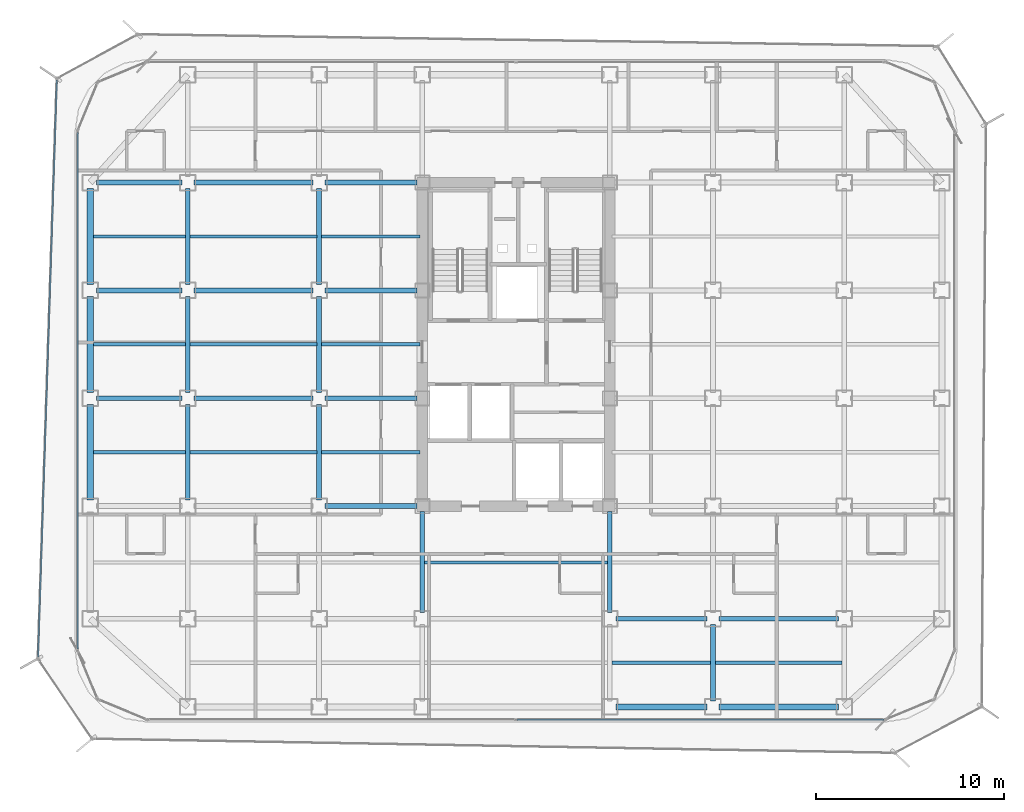
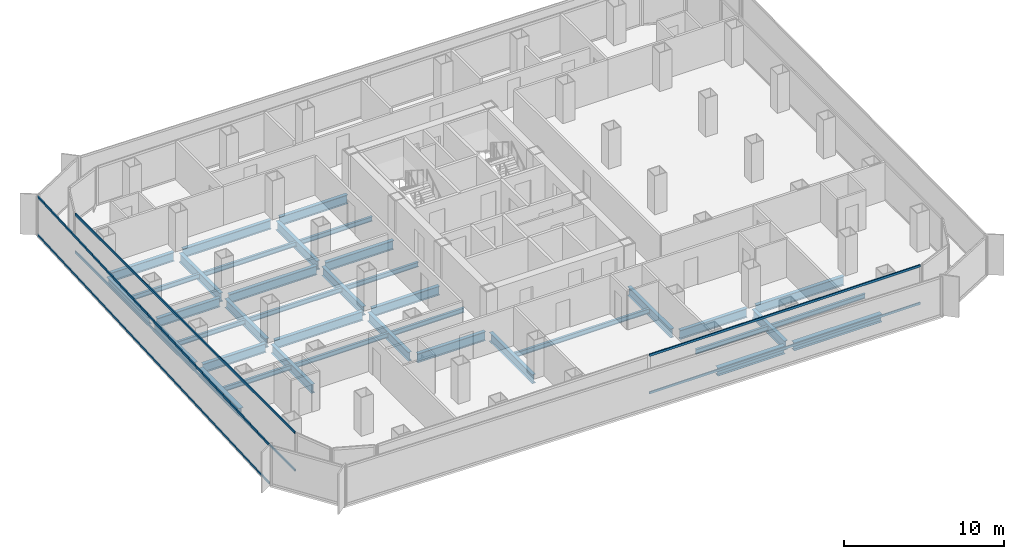
# One storey, part 5 of 21: 38 beams, 6 members, 3 elements without a shape of their own.
"""IFC4 building model written with IfcOpenShell, lengths in metres."""

from ifc_helpers import new_model, si_unit, direction, frame, origin, origin_2d, place, context, subcontext, project, spatial, hollow_rectangle, i_section, extrude, source, transform, mapped, material, layer, layer_set, material_profile, profile_set, type_object, element, aggregate, save


model = new_model("IFC4")

# Units and contexts
model_context = context("Model", 3, precision=1e-05, world=origin(), true_north=direction((0.0, 1.0)))
body_context = subcontext(model_context, "Body", "Model", "MODEL_VIEW")
ifc_project = project(units=[si_unit("LENGTHUNIT", "METRE"), si_unit("AREAUNIT", "SQUARE_METRE"), si_unit("VOLUMEUNIT", "CUBIC_METRE"), si_unit("PLANEANGLEUNIT", "RADIAN"), si_unit("MASSUNIT", "GRAM", prefix="KILO")], contexts=[model_context])

# Site, building, storey
site_placement = place(None, origin())
site = spatial("IfcSite", under=ifc_project, at=site_placement, CompositionType="ELEMENT")
building_placement = place(site_placement, origin())
building = spatial("IfcBuilding", under=site, at=building_placement, Name="Kolveth Station Tower", CompositionType="ELEMENT")
storey_placement = place(building_placement, frame((0.0, 0.0, 127.89990234375)))
storey = spatial("IfcBuildingStorey", under=building, at=storey_placement, Name="L35", CompositionType="ELEMENT", Elevation=127.89990234375)

# Beams
ifc_material_1 = material(Name="Steel S355", Category="steel")
ifc_material_profile_1 = material_profile(ifc_material_1, i_section(OverallWidth=0.323974609375, OverallDepth=0.611083984375, WebThickness=0.0126953125, FlangeThickness=0.01904296875, at=origin_2d()), Name="W610x155")
ifc_profile_set_1 = profile_set([ifc_material_profile_1], Name="Steel S355")
beam_type_1 = type_object("IfcBeamType", Name="Beam_SP2", PredefinedType="SPANDREL", material=ifc_profile_set_1)
shared_shape_1 = source(origin(), body_context, "Body", "SweptSolid", [
    extrude(i_section(OverallWidth=0.323974609375, OverallDepth=0.611083984375, WebThickness=0.0126953125, FlangeThickness=0.01904296875, at=origin_2d()), origin(), (0.0, 0.0, 1.0), 6.35986328125),
])
beam_1_placement = place(storey_placement, frame((34.320068359375, 0.800048828125, -0.555419921875), z_axis=(1.0, 0.0, 0.0), x_axis=(0.0, 1.0, 0.0)))
element("IfcBeam", 1, at=beam_1_placement, inside=storey, type_object=beam_type_1, Name="L35 Perimeter Spandrel BM-L35-PS-5", PredefinedType="SPANDREL", context=body_context, shape_type="MappedRepresentation", body=[
    mapped(shared_shape_1, transform((0.0, 0.0, 0.0), x_axis=(1.0, 0.0, 0.0), y_axis=(0.0, 1.0, 0.0), z_axis=(0.0, 0.0, 1.0), scale=1.0)),
])
shared_shape_2 = source(origin(), body_context, "Body", "SweptSolid", [
    extrude(i_section(OverallWidth=0.323974609375, OverallDepth=0.611083984375, WebThickness=0.0126953125, FlangeThickness=0.01904296875, at=origin_2d()), origin(), (0.0, 0.0, 1.0), 4.85986328125),
])
beam_2_placement = place(storey_placement, frame((28.820068359375, 0.800048828125, -0.555419921875), z_axis=(1.0, 0.0, 0.0), x_axis=(0.0, 1.0, 0.0)))
element("IfcBeam", 2, at=beam_2_placement, inside=storey, type_object=beam_type_1, Name="L35 Perimeter Spandrel BM-L35-PS-4", PredefinedType="SPANDREL", context=body_context, shape_type="MappedRepresentation", body=[
    mapped(shared_shape_2, transform((0.0, 0.0, 0.0), x_axis=(1.0, 0.0, 0.0), y_axis=(0.0, 1.0, 0.0), z_axis=(0.0, 0.0, 1.0), scale=1.0)),
])
shared_shape_3 = source(origin(), body_context, "Body", "SweptSolid", [
    extrude(i_section(OverallWidth=0.323974609375, OverallDepth=0.611083984375, WebThickness=0.0126953125, FlangeThickness=0.01904296875, at=origin_2d()), origin(), (0.0, 0.0, 1.0), 5.10986328125),
])
for number, where, z_axis, x_axis, name in (
    (3, (0.800048828125, 11.820068359375, -0.555419921875), (0.0, 1.0, 0.0), (-1.0, 0.0, 0.0), "L35 Perimeter Spandrel BM-L35-PW-2"),
    (4, (0.800048828125, 17.570068359375, -0.555419921875), (0.0, 1.0, 0.0), (-1.0, 0.0, 0.0), "L35 Perimeter Spandrel BM-L35-PW-3"),
    (5, (0.800048828125, 23.320068359375, -0.555419921875), (0.0, 1.0, 0.0), (-1.0, 0.0, 0.0), "L35 Perimeter Spandrel BM-L35-PW-4"),
):
    element("IfcBeam", number, at=place(storey_placement, frame(where, z_axis=z_axis, x_axis=x_axis)), inside=storey, type_object=beam_type_1, Name=name, PredefinedType="SPANDREL", context=body_context, shape_type="MappedRepresentation", body=[
        mapped(shared_shape_3, transform((0.0, 0.0, 0.0), x_axis=(1.0, 0.0, 0.0), y_axis=(0.0, 1.0, 0.0), z_axis=(0.0, 0.0, 1.0), scale=1.0)),
    ])
ifc_material_profile_2 = material_profile(ifc_material_1, i_section(OverallWidth=0.25390625, OverallDepth=0.68798828125, WebThickness=0.01318359375, FlangeThickness=0.02099609375, at=origin_2d()), Name="W690x152")
ifc_profile_set_2 = profile_set([ifc_material_profile_2], Name="Steel S355")
beam_type_2 = type_object("IfcBeamType", Name="Beam_B4", PredefinedType="BEAM", material=ifc_profile_set_2)
shared_shape_4 = source(origin(), body_context, "Body", "SweptSolid", [
    extrude(i_section(OverallWidth=0.25390625, OverallDepth=0.68798828125, WebThickness=0.01318359375, FlangeThickness=0.02099609375, at=origin_2d()), origin(), (0.0, 0.0, 1.0), 4.559814453125),
])
for number, where, z_axis, x_axis, name in (
    (6, (1.1201171875, 17.25, -0.593994140625), (1.0, 0.0, 0.0), (0.0, 1.0, 0.0), "L35 Primary Girder BM-L35-GY172-1"),
    (7, (1.1201171875, 23.0, -0.593994140625), (1.0, 0.0, 0.0), (0.0, 1.0, 0.0), "L35 Primary Girder BM-L35-GY230-1"),
    (8, (1.1201171875, 28.75, -0.593994140625), (1.0, 0.0, 0.0), (0.0, 1.0, 0.0), "L35 Primary Girder BM-L35-GY287-1"),
):
    element("IfcBeam", number, at=place(storey_placement, frame(where, z_axis=z_axis, x_axis=x_axis)), inside=storey, type_object=beam_type_2, Name=name, PredefinedType="BEAM", context=body_context, shape_type="MappedRepresentation", body=[
        mapped(shared_shape_4, transform((0.0, 0.0, 0.0), x_axis=(1.0, 0.0, 0.0), y_axis=(0.0, 1.0, 0.0), z_axis=(0.0, 0.0, 1.0), scale=1.0)),
    ])
shared_shape_5 = source(origin(), body_context, "Body", "SweptSolid", [
    extrude(i_section(OverallWidth=0.25390625, OverallDepth=0.68798828125, WebThickness=0.01318359375, FlangeThickness=0.02099609375, at=origin_2d()), origin(), (0.0, 0.0, 1.0), 6.35986328125),
])
for number, where, z_axis, x_axis, name in (
    (9, (34.320068359375, 5.5, -0.593994140625), (1.0, 0.0, 0.0), (0.0, 1.0, 0.0), "L35 Primary Girder BM-L35-GY55-6"),
    (10, (6.320068359375, 17.25, -0.593994140625), (1.0, 0.0, 0.0), (0.0, 1.0, 0.0), "L35 Primary Girder BM-L35-GY172-2"),
    (11, (6.320068359375, 23.0, -0.593994140625), (1.0, 0.0, 0.0), (0.0, 1.0, 0.0), "L35 Primary Girder BM-L35-GY230-2"),
    (12, (6.320068359375, 28.75, -0.593994140625), (1.0, 0.0, 0.0), (0.0, 1.0, 0.0), "L35 Primary Girder BM-L35-GY287-2"),
):
    element("IfcBeam", number, at=place(storey_placement, frame(where, z_axis=z_axis, x_axis=x_axis)), inside=storey, type_object=beam_type_2, Name=name, PredefinedType="BEAM", context=body_context, shape_type="MappedRepresentation", body=[
        mapped(shared_shape_5, transform((0.0, 0.0, 0.0), x_axis=(1.0, 0.0, 0.0), y_axis=(0.0, 1.0, 0.0), z_axis=(0.0, 0.0, 1.0), scale=1.0)),
    ])
shared_shape_6 = source(origin(), body_context, "Body", "SweptSolid", [
    extrude(i_section(OverallWidth=0.25390625, OverallDepth=0.68798828125, WebThickness=0.01318359375, FlangeThickness=0.02099609375, at=origin_2d()), origin(), (0.0, 0.0, 1.0), 4.85986328125),
])
beam_3_placement = place(storey_placement, frame((28.820068359375, 5.5, -0.593994140625), z_axis=(1.0, 0.0, 0.0), x_axis=(0.0, 1.0, 0.0)))
element("IfcBeam", 13, at=beam_3_placement, inside=storey, type_object=beam_type_2, Name="L35 Primary Girder BM-L35-GY55-5", PredefinedType="BEAM", context=body_context, shape_type="MappedRepresentation", body=[
    mapped(shared_shape_6, transform((0.0, 0.0, 0.0), x_axis=(1.0, 0.0, 0.0), y_axis=(0.0, 1.0, 0.0), z_axis=(0.0, 0.0, 1.0), scale=1.0)),
])
shared_shape_7 = source(origin(), body_context, "Body", "SweptSolid", [
    extrude(i_section(OverallWidth=0.25390625, OverallDepth=0.68798828125, WebThickness=0.01318359375, FlangeThickness=0.02099609375, at=origin_2d()), origin(), (0.0, 0.0, 1.0), 4.89990234375),
])
for number, where, z_axis, x_axis, name in (
    (14, (13.320068359375, 11.5, -0.593994140625), (1.0, 0.0, 0.0), (0.0, 1.0, 0.0), "L35 Primary Girder BM-L35-GY115-3"),
    (15, (13.320068359375, 17.25, -0.593994140625), (1.0, 0.0, 0.0), (0.0, 1.0, 0.0), "L35 Primary Girder BM-L35-GY172-3"),
    (16, (13.320068359375, 23.0, -0.593994140625), (1.0, 0.0, 0.0), (0.0, 1.0, 0.0), "L35 Primary Girder BM-L35-GY230-3"),
    (17, (13.320068359375, 28.75, -0.593994140625), (1.0, 0.0, 0.0), (0.0, 1.0, 0.0), "L35 Primary Girder BM-L35-GY287-3"),
):
    element("IfcBeam", number, at=place(storey_placement, frame(where, z_axis=z_axis, x_axis=x_axis)), inside=storey, type_object=beam_type_2, Name=name, PredefinedType="BEAM", context=body_context, shape_type="MappedRepresentation", body=[
        mapped(shared_shape_7, transform((0.0, 0.0, 0.0), x_axis=(1.0, 0.0, 0.0), y_axis=(0.0, 1.0, 0.0), z_axis=(0.0, 0.0, 1.0), scale=1.0)),
    ])
shared_shape_8 = source(origin(), body_context, "Body", "SweptSolid", [
    extrude(i_section(OverallWidth=0.25390625, OverallDepth=0.68798828125, WebThickness=0.01318359375, FlangeThickness=0.02099609375, at=origin_2d()), origin(), (0.0, 0.0, 1.0), 4.059814453125),
])
beam_4_placement = place(storey_placement, frame((34.0, 1.1201171875, -0.593994140625), z_axis=(0.0, 1.0, 0.0), x_axis=(-1.0, 0.0, 0.0)))
element("IfcBeam", 18, at=beam_4_placement, inside=storey, type_object=beam_type_2, Name="L35 Primary Girder BM-L35-GX340-1", PredefinedType="BEAM", context=body_context, shape_type="MappedRepresentation", body=[
    mapped(shared_shape_8, transform((0.0, 0.0, 0.0), x_axis=(1.0, 0.0, 0.0), y_axis=(0.0, 1.0, 0.0), z_axis=(0.0, 0.0, 1.0), scale=1.0)),
])
shared_shape_9 = source(origin(), body_context, "Body", "SweptSolid", [
    extrude(i_section(OverallWidth=0.25390625, OverallDepth=0.68798828125, WebThickness=0.01318359375, FlangeThickness=0.02099609375, at=origin_2d()), origin(), (0.0, 0.0, 1.0), 5.10986328125),
])
for number, where, z_axis, x_axis, name in (
    (19, (6.0, 11.820068359375, -0.593994140625), (0.0, 1.0, 0.0), (-1.0, 0.0, 0.0), "L35 Primary Girder BM-L35-GX60-3"),
    (20, (6.0, 17.570068359375, -0.593994140625), (0.0, 1.0, 0.0), (-1.0, 0.0, 0.0), "L35 Primary Girder BM-L35-GX60-4"),
    (21, (6.0, 23.320068359375, -0.593994140625), (0.0, 1.0, 0.0), (-1.0, 0.0, 0.0), "L35 Primary Girder BM-L35-GX60-5"),
    (22, (13.0, 11.820068359375, -0.593994140625), (0.0, 1.0, 0.0), (-1.0, 0.0, 0.0), "L35 Primary Girder BM-L35-GX130-3"),
    (23, (13.0, 17.570068359375, -0.593994140625), (0.0, 1.0, 0.0), (-1.0, 0.0, 0.0), "L35 Primary Girder BM-L35-GX130-4"),
    (24, (13.0, 23.320068359375, -0.593994140625), (0.0, 1.0, 0.0), (-1.0, 0.0, 0.0), "L35 Primary Girder BM-L35-GX130-5"),
):
    element("IfcBeam", number, at=place(storey_placement, frame(where, z_axis=z_axis, x_axis=x_axis)), inside=storey, type_object=beam_type_2, Name=name, PredefinedType="BEAM", context=body_context, shape_type="MappedRepresentation", body=[
        mapped(shared_shape_9, transform((0.0, 0.0, 0.0), x_axis=(1.0, 0.0, 0.0), y_axis=(0.0, 1.0, 0.0), z_axis=(0.0, 0.0, 1.0), scale=1.0)),
    ])
shared_shape_10 = source(origin(), body_context, "Body", "SweptSolid", [
    extrude(i_section(OverallWidth=0.25390625, OverallDepth=0.68798828125, WebThickness=0.01318359375, FlangeThickness=0.02099609375, at=origin_2d()), origin(), (0.0, 0.0, 1.0), 5.39990234375),
])
for number, where, z_axis, x_axis, name in (
    (25, (18.5, 5.820068359375, -0.593994140625), (0.0, 1.0, 0.0), (-1.0, 0.0, 0.0), "L35 Primary Girder BM-L35-GX185-2"),
    (26, (28.5, 5.820068359375, -0.593994140625), (0.0, 1.0, 0.0), (-1.0, 0.0, 0.0), "L35 Primary Girder BM-L35-GX285-2"),
):
    element("IfcBeam", number, at=place(storey_placement, frame(where, z_axis=z_axis, x_axis=x_axis)), inside=storey, type_object=beam_type_2, Name=name, PredefinedType="BEAM", context=body_context, shape_type="MappedRepresentation", body=[
        mapped(shared_shape_10, transform((0.0, 0.0, 0.0), x_axis=(1.0, 0.0, 0.0), y_axis=(0.0, 1.0, 0.0), z_axis=(0.0, 0.0, 1.0), scale=1.0)),
    ])
ifc_material_profile_3 = material_profile(ifc_material_1, i_section(OverallWidth=0.1708984375, OverallDepth=0.35205078125, WebThickness=0.0068359375, FlangeThickness=0.009765625, at=origin_2d()), Name="W360x44")
ifc_profile_set_3 = profile_set([ifc_material_profile_3], Name="Steel S355")
beam_type_3 = type_object("IfcBeamType", Name="Beam_J2", PredefinedType="JOIST", material=ifc_profile_set_3)
shared_shape_11 = source(origin(), body_context, "Body", "SweptSolid", [
    extrude(i_section(OverallWidth=0.1708984375, OverallDepth=0.35205078125, WebThickness=0.0068359375, FlangeThickness=0.009765625, at=origin_2d()), origin(), (0.0, 0.0, 1.0), 4.9150390625),
])
for number, where, z_axis, x_axis, name in (
    (27, (0.9599609375, 14.375, -0.42578125), (1.0, 0.0, 0.0), (0.0, 1.0, 0.0), "L35 Secondary Joist JST-L35-1-3"),
    (28, (0.9599609375, 20.125, -0.42578125), (1.0, 0.0, 0.0), (0.0, 1.0, 0.0), "L35 Secondary Joist JST-L35-1-4"),
    (29, (0.9599609375, 25.875, -0.42578125), (1.0, 0.0, 0.0), (0.0, 1.0, 0.0), "L35 Secondary Joist JST-L35-1-5"),
):
    element("IfcBeam", number, at=place(storey_placement, frame(where, z_axis=z_axis, x_axis=x_axis)), inside=storey, type_object=beam_type_3, Name=name, PredefinedType="JOIST", context=body_context, shape_type="MappedRepresentation", body=[
        mapped(shared_shape_11, transform((0.0, 0.0, 0.0), x_axis=(1.0, 0.0, 0.0), y_axis=(0.0, 1.0, 0.0), z_axis=(0.0, 0.0, 1.0), scale=1.0)),
    ])
shared_shape_12 = source(origin(), body_context, "Body", "SweptSolid", [
    extrude(i_section(OverallWidth=0.1708984375, OverallDepth=0.35205078125, WebThickness=0.0068359375, FlangeThickness=0.009765625, at=origin_2d()), origin(), (0.0, 0.0, 1.0), 6.75),
])
for number, where, z_axis, x_axis, name in (
    (30, (6.125, 14.375, -0.42578125), (1.0, 0.0, 0.0), (0.0, 1.0, 0.0), "L35 Secondary Joist JST-L35-2-3"),
    (31, (6.125, 20.125, -0.42578125), (1.0, 0.0, 0.0), (0.0, 1.0, 0.0), "L35 Secondary Joist JST-L35-2-4"),
    (32, (6.125, 25.875, -0.42578125), (1.0, 0.0, 0.0), (0.0, 1.0, 0.0), "L35 Secondary Joist JST-L35-2-5"),
    (33, (34.125, 3.14990234375, -0.42578125), (1.0, 0.0, 0.0), (0.0, 1.0, 0.0), "L35 Secondary Joist JST-L35-6-1"),
):
    element("IfcBeam", number, at=place(storey_placement, frame(where, z_axis=z_axis, x_axis=x_axis)), inside=storey, type_object=beam_type_3, Name=name, PredefinedType="JOIST", context=body_context, shape_type="MappedRepresentation", body=[
        mapped(shared_shape_12, transform((0.0, 0.0, 0.0), x_axis=(1.0, 0.0, 0.0), y_axis=(0.0, 1.0, 0.0), z_axis=(0.0, 0.0, 1.0), scale=1.0)),
    ])
shared_shape_13 = source(origin(), body_context, "Body", "SweptSolid", [
    extrude(i_section(OverallWidth=0.1708984375, OverallDepth=0.35205078125, WebThickness=0.0068359375, FlangeThickness=0.009765625, at=origin_2d()), origin(), (0.0, 0.0, 1.0), 5.25),
])
for number, where, z_axis, x_axis, name in (
    (34, (13.125, 14.375, -0.42578125), (1.0, 0.0, 0.0), (0.0, 1.0, 0.0), "L35 Secondary Joist JST-L35-3-3"),
    (35, (13.125, 20.125, -0.42578125), (1.0, 0.0, 0.0), (0.0, 1.0, 0.0), "L35 Secondary Joist JST-L35-3-4"),
    (36, (13.125, 25.875, -0.42578125), (1.0, 0.0, 0.0), (0.0, 1.0, 0.0), "L35 Secondary Joist JST-L35-3-5"),
    (37, (28.625, 3.14990234375, -0.42578125), (1.0, 0.0, 0.0), (0.0, 1.0, 0.0), "L35 Secondary Joist JST-L35-5-1"),
):
    element("IfcBeam", number, at=place(storey_placement, frame(where, z_axis=z_axis, x_axis=x_axis)), inside=storey, type_object=beam_type_3, Name=name, PredefinedType="JOIST", context=body_context, shape_type="MappedRepresentation", body=[
        mapped(shared_shape_13, transform((0.0, 0.0, 0.0), x_axis=(1.0, 0.0, 0.0), y_axis=(0.0, 1.0, 0.0), z_axis=(0.0, 0.0, 1.0), scale=1.0)),
    ])
shared_shape_14 = source(origin(), body_context, "Body", "SweptSolid", [
    extrude(i_section(OverallWidth=0.1708984375, OverallDepth=0.35205078125, WebThickness=0.0068359375, FlangeThickness=0.009765625, at=origin_2d()), origin(), (0.0, 0.0, 1.0), 9.75),
])
beam_5_placement = place(storey_placement, frame((18.625, 8.5, -0.42578125), z_axis=(1.0, 0.0, 0.0), x_axis=(0.0, 1.0, 0.0)))
element("IfcBeam", 38, at=beam_5_placement, inside=storey, type_object=beam_type_3, Name="L35 Secondary Joist JST-L35-4-2", PredefinedType="JOIST", context=body_context, shape_type="MappedRepresentation", body=[
    mapped(shared_shape_14, transform((0.0, 0.0, 0.0), x_axis=(1.0, 0.0, 0.0), y_axis=(0.0, 1.0, 0.0), z_axis=(0.0, 0.0, 1.0), scale=1.0)),
])

# Curtain wall, members
ifc_material_2 = material(Name="Aluminium 6063-T6 and low-E dark glass", Category="aluminium")
ifc_layer_1 = layer(ifc_material_2, 0.18994140625)
ifc_layer_set_1 = layer_set([ifc_layer_1], Name="Aluminium 6063-T6 and low-E dark glass")
curtain_wall_type_1 = type_object("IfcCurtainWallType", Name="CurtainWall_CW-Z2", PredefinedType="NOTDEFINED", material=ifc_layer_set_1)
curtain_wall_1_placement = place(storey_placement, origin())
curtain_wall_1 = element("IfcCurtainWall", 39, at=curtain_wall_1_placement, inside=storey, type_object=curtain_wall_type_1, Name="L35 Inner Thermal Curtain Wall 9", PredefinedType="NOTDEFINED")
ifc_material_3 = material(Name="Black anodized aluminium 6063-T6", Category="aluminium")
ifc_material_profile_4 = material_profile(ifc_material_3, hollow_rectangle(XDim=0.080078125, YDim=0.169921875, WallThickness=0.0048828125, at=origin_2d()), Name="ALU-80x170x5")
ifc_profile_set_4 = profile_set([ifc_material_profile_4], Name="Black anodized aluminium 6063-T6")
member_type_1 = type_object("IfcMemberType", Name="Transom_TR2", PredefinedType="USERDEFINED", material=ifc_profile_set_4)
shared_shape_15 = source(origin(), body_context, "Body", "SweptSolid", [
    extrude(hollow_rectangle(XDim=0.080078125, YDim=0.169921875, WallThickness=0.0048828125, at=origin_2d()), origin(), (0.0, 0.0, 1.0), 27.5400390625),
])
member_1_placement = place(storey_placement, frame((0.1201171875, 31.419921875, 0.0400390625), z_axis=(0.0, -1.0, 0.0), x_axis=(1.0, 0.0, 0.0)))
member_1 = element("IfcMember", 40, at=member_1_placement, type_object=member_type_1, Name="CW-Z2 transom 1.1", ObjectType="TRANSOM", PredefinedType="USERDEFINED", context=body_context, shape_type="MappedRepresentation", body=[
    mapped(shared_shape_15, transform((0.0, 0.0, 0.0), x_axis=(1.0, 0.0, 0.0), y_axis=(0.0, 1.0, 0.0), z_axis=(0.0, 0.0, 1.0), scale=1.0)),
])
member_2_placement = place(storey_placement, frame((0.1201171875, 31.419921875, 2.91015625), z_axis=(0.0, -1.0, 0.0), x_axis=(1.0, 0.0, 0.0)))
member_2 = element("IfcMember", 41, at=member_2_placement, type_object=member_type_1, Name="CW-Z2 transom 1.2", ObjectType="TRANSOM", PredefinedType="USERDEFINED", context=body_context, shape_type="MappedRepresentation", body=[
    mapped(shared_shape_15, transform((0.0, 0.0, 0.0), x_axis=(1.0, 0.0, 0.0), y_axis=(0.0, 1.0, 0.0), z_axis=(0.0, 0.0, 1.0), scale=1.0)),
])
aggregate(curtain_wall_1, [member_1, member_2])

curtain_wall_2_placement = place(storey_placement, origin())
curtain_wall_2 = element("IfcCurtainWall", 42, at=curtain_wall_2_placement, inside=storey, type_object=curtain_wall_type_1, Name="L35 Inner Thermal Curtain Wall 12", PredefinedType="NOTDEFINED")
shared_shape_16 = source(origin(), body_context, "Body", "SweptSolid", [
    extrude(hollow_rectangle(XDim=0.080078125, YDim=0.169921875, WallThickness=0.0048828125, at=origin_2d()), origin(), (0.0, 0.0, 1.0), 19.580078125),
])
member_3_placement = place(storey_placement, frame((23.5400390625, 0.1201171875, 0.0400390625), z_axis=(1.0, 0.0, 0.0), x_axis=(0.0, 1.0, 0.0)))
member_3 = element("IfcMember", 43, at=member_3_placement, type_object=member_type_1, Name="CW-Z2 transom 2.1", ObjectType="TRANSOM", PredefinedType="USERDEFINED", context=body_context, shape_type="MappedRepresentation", body=[
    mapped(shared_shape_16, transform((0.0, 0.0, 0.0), x_axis=(1.0, 0.0, 0.0), y_axis=(0.0, 1.0, 0.0), z_axis=(0.0, 0.0, 1.0), scale=1.0)),
])
member_4_placement = place(storey_placement, frame((23.5400390625, 0.1201171875, 2.91015625), z_axis=(1.0, 0.0, 0.0), x_axis=(0.0, 1.0, 0.0)))
member_4 = element("IfcMember", 44, at=member_4_placement, type_object=member_type_1, Name="CW-Z2 transom 2.2", ObjectType="TRANSOM", PredefinedType="USERDEFINED", context=body_context, shape_type="MappedRepresentation", body=[
    mapped(shared_shape_16, transform((0.0, 0.0, 0.0), x_axis=(1.0, 0.0, 0.0), y_axis=(0.0, 1.0, 0.0), z_axis=(0.0, 0.0, 1.0), scale=1.0)),
])
aggregate(curtain_wall_2, [member_3, member_4])

ifc_material_4 = material(Name="Black anodized aluminium 6063-T6 and dark solar glass", Category="aluminium")
ifc_layer_2 = layer(ifc_material_4, 0.159912109375)
ifc_layer_set_2 = layer_set([ifc_layer_2], Name="Black anodized aluminium 6063-T6 and dark solar glass")
curtain_wall_type_2 = type_object("IfcCurtainWallType", Name="OUTER SKIN CW-OS", PredefinedType="NOTDEFINED", material=ifc_layer_set_2)
curtain_wall_3_placement = place(storey_placement, origin())
curtain_wall_3 = element("IfcCurtainWall", 45, at=curtain_wall_3_placement, inside=storey, type_object=curtain_wall_type_2, Name="L35 Outer Ventilated Skin Curtain Wall 6", PredefinedType="NOTDEFINED")
ifc_material_profile_5 = material_profile(ifc_material_3, hollow_rectangle(XDim=0.080078125, YDim=0.14990234375, WallThickness=0.0048828125, at=origin_2d()), Name="ALU-80x150x5")
ifc_profile_set_5 = profile_set([ifc_material_profile_5], Name="Black anodized aluminium 6063-T6")
member_type_2 = type_object("IfcMemberType", Name="Transom_TR-OS", PredefinedType="USERDEFINED", material=ifc_profile_set_5)
shared_shape_17 = source(origin(), body_context, "Body", "SweptSolid", [
    extrude(hollow_rectangle(XDim=0.080078125, YDim=0.14990234375, WallThickness=0.0048828125, at=origin_2d()), origin(), (0.0, 0.0, 1.0), 30.76416015625),
])
member_5_placement = place(storey_placement, frame((-0.982177734375, 34.207763671875, 0.0400390625), z_axis=(-0.032592665132, -0.99946871796, 0.0), x_axis=(0.99946871796, -0.032592665132, 0.0)))
member_5 = element("IfcMember", 46, at=member_5_placement, type_object=member_type_2, Name="CW-OS transom 1.1", ObjectType="TRANSOM", PredefinedType="USERDEFINED", context=body_context, shape_type="MappedRepresentation", body=[
    mapped(shared_shape_17, transform((0.0, 0.0, 0.0), x_axis=(1.0, 0.0, 0.0), y_axis=(0.0, 1.0, 0.0), z_axis=(0.0, 0.0, 1.0), scale=1.0)),
])
member_6_placement = place(storey_placement, frame((-0.982177734375, 34.207763671875, 2.9501953125), z_axis=(-0.032592665132, -0.99946871796, 0.0), x_axis=(0.99946871796, -0.032592665132, 0.0)))
member_6 = element("IfcMember", 47, at=member_6_placement, type_object=member_type_2, Name="CW-OS transom 1.2", ObjectType="TRANSOM", PredefinedType="USERDEFINED", context=body_context, shape_type="MappedRepresentation", body=[
    mapped(shared_shape_17, transform((0.0, 0.0, 0.0), x_axis=(1.0, 0.0, 0.0), y_axis=(0.0, 1.0, 0.0), z_axis=(0.0, 0.0, 1.0), scale=1.0)),
])
aggregate(curtain_wall_3, [member_5, member_6])

save(model, "model.ifc")
